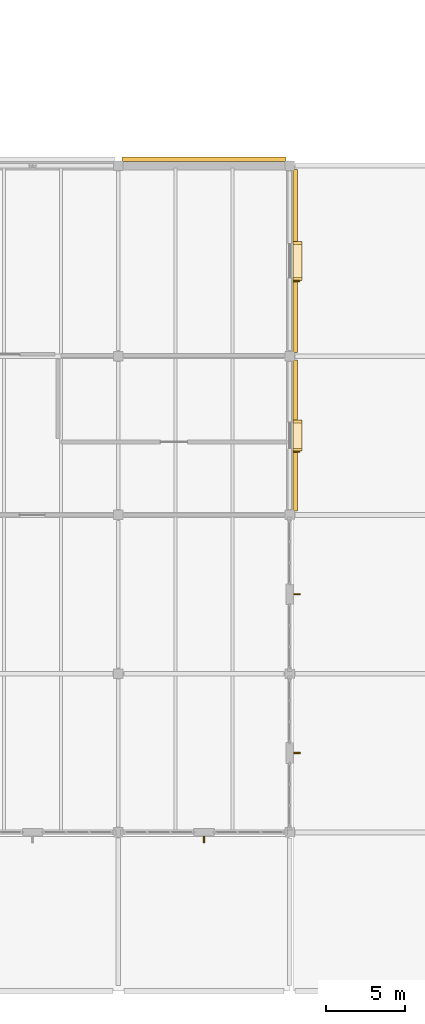
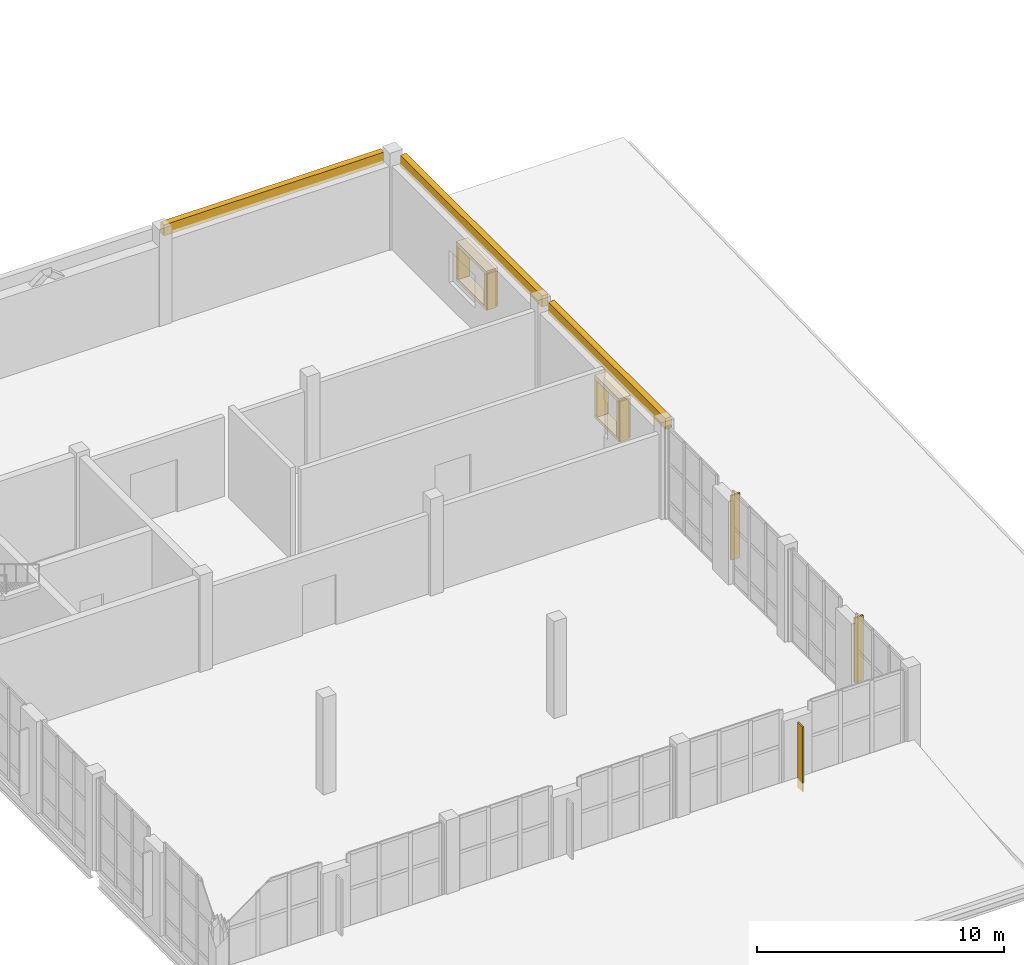
# One storey, part 100 of 100: 11 coverings, 5 shading devices.
"""IFC4 building model written with IfcOpenShell, lengths in metres."""

from ifc_helpers import new_model, si_unit, direction, frame, origin, origin_2d, place, context, subcontext, project, spatial, rectangle, extrude, material, layer, layer_set, type_object, element, save


model = new_model("IFC4")

# Units and contexts
model_context = context("Model", 3, precision=1e-05, world=origin(), true_north=direction((0.0, 1.0)))
body_context = subcontext(model_context, "Body", "Model", "MODEL_VIEW")
ifc_project = project(units=[si_unit("LENGTHUNIT", "METRE"), si_unit("AREAUNIT", "SQUARE_METRE"), si_unit("VOLUMEUNIT", "CUBIC_METRE"), si_unit("PLANEANGLEUNIT", "RADIAN"), si_unit("MASSUNIT", "GRAM", prefix="KILO")], contexts=[model_context])

# Site, building, storey
site_placement = place(None, origin())
site = spatial("IfcSite", under=ifc_project, at=site_placement, CompositionType="ELEMENT")
building_placement = place(site_placement, origin())
building = spatial("IfcBuilding", under=site, at=building_placement, Name="Tasgan Crest Museum", CompositionType="ELEMENT")
storey_placement = place(building_placement, frame((0.0, 0.0, 9.60009765625)))
storey = spatial("IfcBuildingStorey", under=building, at=storey_placement, Name="L02", CompositionType="ELEMENT", Elevation=9.60009765625)

# Coverings
ifc_material_1 = material(Name="Honed Rose-Red Mongolian Granite", Category="masonry")
ifc_layer_1 = layer(ifc_material_1, 0.0400390625, Name="COV-GRANITE-ROSE")
ifc_layer_set_1 = layer_set([ifc_layer_1], Name="Honed Rose-Red Mongolian Granite")
covering_type_1 = type_object("IfcCoveringType", Name="COV-GRANITE-ROSE", PredefinedType="CLADDING", material=ifc_layer_set_1)
for number, where, z_axis, x_axis, name in (
    (1, (140.885009765625, 44.110107421875, 1.19970703125), (0.0, 0.0, 1.0), (0.0, 1.0, 0.0), "Deep window reveal jamb L02-037"),
    (2, (140.885009765625, 45.889892578125, 1.19970703125), (0.0, 0.0, 1.0), (0.0, 1.0, 0.0), "Deep window reveal jamb L02-037"),
):
    element("IfcCovering", number, at=place(storey_placement, frame(where, z_axis=z_axis, x_axis=x_axis)), inside=storey, type_object=covering_type_1, Name=name, PredefinedType="CLADDING", context=body_context, shape_type="SweptSolid", body=[
        extrude(rectangle(XDim=0.179931640625, YDim=0.550048828125, at=origin_2d()), origin(), (0.0, 0.0, 1.0), 1.800048828125),
    ])
for number, where, z_axis, x_axis, name in (
    (3, (140.885009765625, 54.860107421875, 1.199951171875), (0.0, 0.0, 1.0), (0.0, 1.0, 0.0), "Deep window reveal jamb L02-038"),
    (4, (140.885009765625, 57.139892578125, 1.199951171875), (0.0, 0.0, 1.0), (0.0, 1.0, 0.0), "Deep window reveal jamb L02-038"),
):
    element("IfcCovering", number, at=place(storey_placement, frame(where, z_axis=z_axis, x_axis=x_axis)), inside=storey, type_object=covering_type_1, Name=name, PredefinedType="CLADDING", context=body_context, shape_type="SweptSolid", body=[
        extrude(rectangle(XDim=0.179931640625, YDim=0.550048828125, at=origin_2d()), origin(), (0.0, 0.0, 1.0), 1.60009765625),
    ])
ifc_material_2 = material(Name="Honed Buff Limestone", Category="masonry")
ifc_layer_2 = layer(ifc_material_2, 0.044921875, Name="COV-LIMESTONE-BUFF")
ifc_layer_set_2 = layer_set([ifc_layer_2], Name="Honed Buff Limestone")
covering_type_2 = type_object("IfcCoveringType", Name="COV-LIMESTONE-BUFF", PredefinedType="CLADDING", material=ifc_layer_set_2)
covering_1_placement = place(storey_placement, frame((140.75, 45.0, 3.9599609375), z_axis=(0.0, 0.0, 1.0), x_axis=(0.0, 1.0, 0.0)))
element("IfcCovering", 5, at=covering_1_placement, inside=storey, type_object=covering_type_2, Name="Stone frieze cladding L02", PredefinedType="CLADDING", context=body_context, shape_type="SweptSolid", body=[
    extrude(rectangle(XDim=9.510009765625, YDim=0.280029296875, at=origin_2d()), origin(), (0.0, 0.0, 1.0), 0.550048828125),
])
covering_2_placement = place(storey_placement, frame((140.885009765625, 45.0, 3.0), z_axis=(0.0, 0.0, 1.0), x_axis=(0.0, 1.0, 0.0)))
element("IfcCovering", 6, at=covering_2_placement, inside=storey, type_object=covering_type_2, Name="Deep window hood L02-037", PredefinedType="CLADDING", context=body_context, shape_type="SweptSolid", body=[
    extrude(rectangle(XDim=1.9599609375, YDim=0.550048828125, at=origin_2d()), origin(), (0.0, 0.0, 1.0), 0.179931640625),
])
covering_3_placement = place(storey_placement, frame((140.885009765625, 45.0, 1.06005859375), z_axis=(0.0, 0.0, 1.0), x_axis=(0.0, 1.0, 0.0)))
element("IfcCovering", 7, at=covering_3_placement, inside=storey, type_object=covering_type_2, Name="Deep window sill L02-037", PredefinedType="CLADDING", context=body_context, shape_type="SweptSolid", body=[
    extrude(rectangle(XDim=1.9599609375, YDim=0.550048828125, at=origin_2d()), origin(), (0.0, 0.0, 1.0), 0.139892578125),
])
covering_4_placement = place(storey_placement, frame((140.75, 56.0, 3.9599609375), z_axis=(0.0, 0.0, 1.0), x_axis=(0.0, 1.0, 0.0)))
element("IfcCovering", 8, at=covering_4_placement, inside=storey, type_object=covering_type_2, Name="Stone frieze cladding L02", PredefinedType="CLADDING", context=body_context, shape_type="SweptSolid", body=[
    extrude(rectangle(XDim=11.510009765625, YDim=0.280029296875, at=origin_2d()), origin(), (0.0, 0.0, 1.0), 0.550048828125),
])
covering_5_placement = place(storey_placement, frame((140.885009765625, 56.0, 2.7998046875), z_axis=(0.0, 0.0, 1.0), x_axis=(0.0, 1.0, 0.0)))
element("IfcCovering", 9, at=covering_5_placement, inside=storey, type_object=covering_type_2, Name="Deep window hood L02-038", PredefinedType="CLADDING", context=body_context, shape_type="SweptSolid", body=[
    extrude(rectangle(XDim=2.4599609375, YDim=0.550048828125, at=origin_2d()), origin(), (0.0, 0.0, 1.0), 0.179931640625),
])
covering_6_placement = place(storey_placement, frame((140.885009765625, 56.0, 1.06005859375), z_axis=(0.0, 0.0, 1.0), x_axis=(0.0, 1.0, 0.0)))
element("IfcCovering", 10, at=covering_6_placement, inside=storey, type_object=covering_type_2, Name="Deep window sill L02-038", PredefinedType="CLADDING", context=body_context, shape_type="SweptSolid", body=[
    extrude(rectangle(XDim=2.4599609375, YDim=0.550048828125, at=origin_2d()), origin(), (0.0, 0.0, 1.0), 0.139892578125),
])
covering_7_placement = place(storey_placement, frame((135.0, 62.39990234375, 3.9599609375), z_axis=(0.0, 0.0, 1.0), x_axis=(-1.0, 0.0, 0.0)))
element("IfcCovering", 11, at=covering_7_placement, inside=storey, type_object=covering_type_2, Name="Stone frieze cladding L02", PredefinedType="CLADDING", context=body_context, shape_type="SweptSolid", body=[
    extrude(rectangle(XDim=10.31005859375, YDim=0.280029296875, at=origin_2d()), origin(), (0.0, 0.0, 1.0), 0.550048828125),
])

# Shading devices
ifc_material_3 = material(Name="Anodised Bronze Aluminium", Category="aluminium")
shading_device_type = type_object("IfcShadingDeviceType", Name="SH-FIN-V400", PredefinedType="JALOUSIE", material=ifc_material_3)
for number, where, z_axis, x_axis, name in (
    (12, (135.0, 19.550048828125, 0.6796875), (0.0, 0.0, 1.0), (1.0, 0.0, 0.0), "Facade pier solar fin L02"),
    (13, (140.85009765625, 25.0, 0.6796875), (0.0, 0.0, 1.0), (0.0, 1.0, 0.0), "Facade pier solar fin L02"),
    (14, (140.85009765625, 35.0, 0.6796875), (0.0, 0.0, 1.0), (0.0, 1.0, 0.0), "Facade pier solar fin L02"),
):
    element("IfcShadingDevice", number, at=place(storey_placement, frame(where, z_axis=z_axis, x_axis=x_axis)), inside=storey, type_object=shading_device_type, Name=name, PredefinedType="JALOUSIE", context=body_context, shape_type="SweptSolid", body=[
        extrude(rectangle(XDim=0.080078125, YDim=0.419921875, at=origin_2d()), origin(), (0.0, 0.0, 1.0), 3.199951171875),
    ])
shading_device_1_placement = place(storey_placement, frame((140.820068359375, 43.97998046875, 1.099853515625), z_axis=(0.0, 0.0, 1.0), x_axis=(0.0, 1.0, 0.0)))
element("IfcShadingDevice", 15, at=shading_device_1_placement, inside=storey, type_object=shading_device_type, Name="Solar shading fin L02-037", PredefinedType="JALOUSIE", context=body_context, shape_type="SweptSolid", body=[
    extrude(rectangle(XDim=0.080078125, YDim=0.419921875, at=origin_2d()), origin(), (0.0, 0.0, 1.0), 2.0),
])
shading_device_2_placement = place(storey_placement, frame((140.820068359375, 54.72998046875, 1.10009765625), z_axis=(0.0, 0.0, 1.0), x_axis=(0.0, 1.0, 0.0)))
element("IfcShadingDevice", 16, at=shading_device_2_placement, inside=storey, type_object=shading_device_type, Name="Solar shading fin L02-038", PredefinedType="JALOUSIE", context=body_context, shape_type="SweptSolid", body=[
    extrude(rectangle(XDim=0.080078125, YDim=0.419921875, at=origin_2d()), origin(), (0.0, 0.0, 1.0), 1.800048828125),
])

save(model, "model.ifc")
